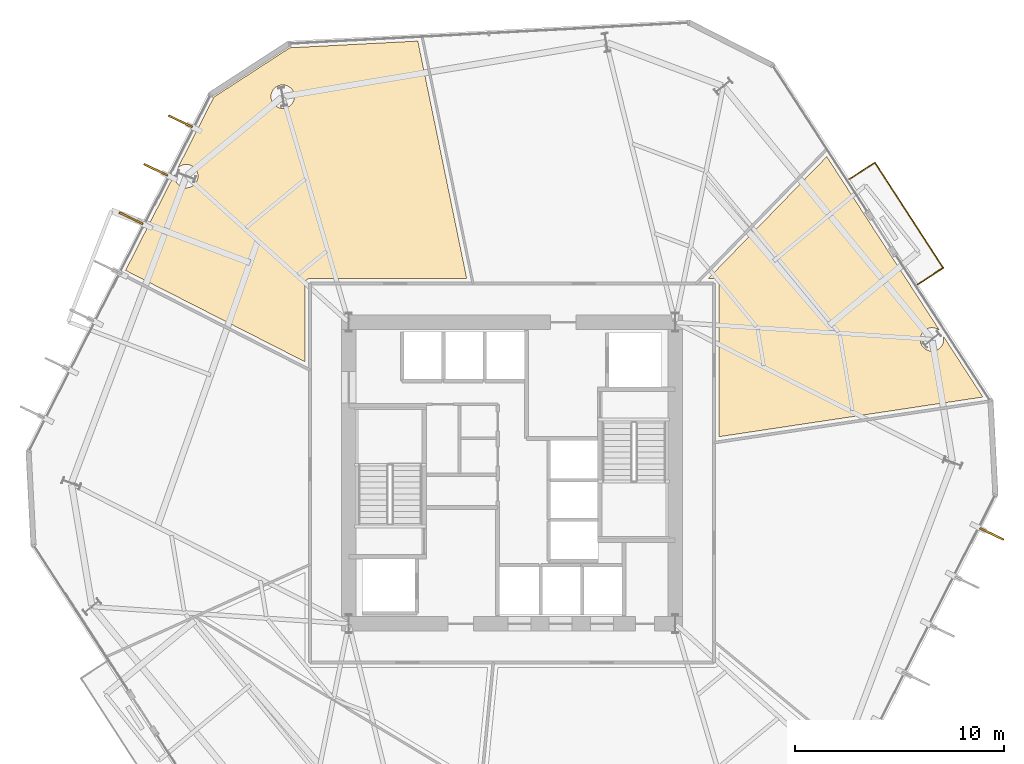
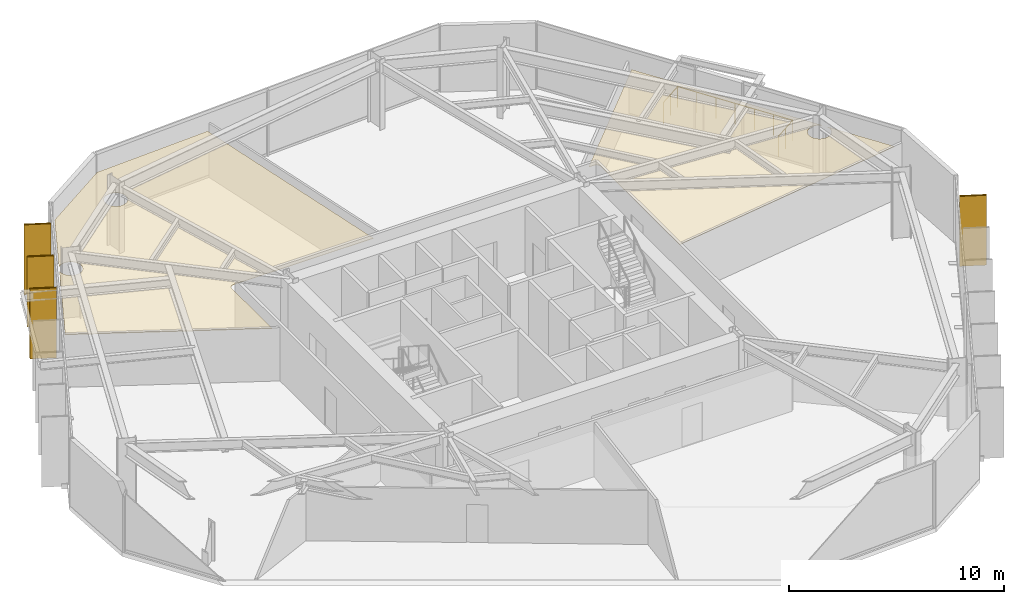
# One storey, part 10 of 10: 6 coverings, 4 shading devices, 1 railing.
"""IFC4 building model written with IfcOpenShell, lengths in metres."""

from ifc_helpers import new_model, si_unit, direction, frame, origin, origin_2d, place, context, subcontext, project, spatial, polyline, rectangle, circle, outline, extrude, material, layer, layer_set, type_object, element, save


model = new_model("IFC4")

# Units and contexts
model_context = context("Model", 3, precision=1e-05, world=origin(), true_north=direction((0.0, 1.0)))
body_context = subcontext(model_context, "Body", "Model", "MODEL_VIEW")
ifc_project = project(units=[si_unit("LENGTHUNIT", "METRE"), si_unit("AREAUNIT", "SQUARE_METRE"), si_unit("VOLUMEUNIT", "CUBIC_METRE"), si_unit("PLANEANGLEUNIT", "RADIAN"), si_unit("MASSUNIT", "GRAM", prefix="KILO")], contexts=[model_context])

# Site, building, storey
site_placement = place(None, origin())
site = spatial("IfcSite", under=ifc_project, at=site_placement, CompositionType="ELEMENT")
building_placement = place(site_placement, origin())
building = spatial("IfcBuilding", under=site, at=building_placement, Name="Kranzbogen Civic Tower", CompositionType="ELEMENT")
storey_placement = place(building_placement, frame((0.0, 0.0, 32.0)))
storey = spatial("IfcBuildingStorey", under=building, at=storey_placement, Name="L07", CompositionType="ELEMENT", Elevation=32.0)

# Coverings
ifc_material_1 = material(Name="Pale Anodised Aluminium", Category="aluminium")
ifc_layer_1 = layer(ifc_material_1, 0.02490234375, Name="Pale Anodised Aluminium")
ifc_layer_set_1 = layer_set([ifc_layer_1], Name="Pale Anodised Aluminium")
covering_type_1 = type_object("IfcCoveringType", Name="Anodised Aluminium Vertical Fin Cladding 25 mm", PredefinedType="CLADDING", material=ifc_layer_set_1)
for number, where, z_axis, x_axis, name in (
    (1, (9.156005859375, 41.81103515625, -0.139892578125), (0.0, 0.0, 1.0), (-0.901190522124, 0.433423168316, 0.0), "L07 vertical fin pale-metal cladding F3-1"),
    (2, (7.97509765625, 39.493896484375, -0.139892578125), (0.0, 0.0, 1.0), (-0.901190522124, 0.433423168316, 0.0), "L07 vertical fin pale-metal cladding F3-2"),
    (3, (6.794921875, 37.177978515625, -0.139892578125), (0.0, 0.0, 1.0), (-0.901190522124, 0.433423168316, 0.0), "L07 vertical fin pale-metal cladding F3-3"),
    (4, (47.927001953125, 22.089111328125, -0.139892578125), (0.0, 0.0, 1.0), (0.901190522124, -0.433423168316, 0.0), "L07 vertical fin pale-metal cladding F6-7"),
):
    element("IfcCovering", number, at=place(storey_placement, frame(where, z_axis=z_axis, x_axis=x_axis)), inside=storey, type_object=covering_type_1, Name=name, PredefinedType="CLADDING", context=body_context, shape_type="SweptSolid", body=[
        extrude(rectangle(XDim=1.25, YDim=0.10009765625, at=origin_2d()), origin(), (0.0, 0.0, 1.0), 3.9599609375),
    ])

# Shading devices
ifc_material_2 = material(Name="Anodised Bronze Aluminium", Category="aluminium")
shading_device_type = type_object("IfcShadingDeviceType", Name="Anodised Bronze Vertical Facade Fin 1250x80", PredefinedType="USERDEFINED", material=ifc_material_2)
for number, where, z_axis, x_axis, name in (
    (5, (9.156005859375, 41.81103515625, -0.139892578125), (0.0, 0.0, 1.0), (-0.901190522124, 0.433423168316, 0.0), "L07 vertical exterior shading fin F3-1"),
    (6, (7.97509765625, 39.493896484375, -0.139892578125), (0.0, 0.0, 1.0), (-0.901190522124, 0.433423168316, 0.0), "L07 vertical exterior shading fin F3-2"),
    (7, (6.794921875, 37.177978515625, -0.139892578125), (0.0, 0.0, 1.0), (-0.901190522124, 0.433423168316, 0.0), "L07 vertical exterior shading fin F3-3"),
    (8, (47.927001953125, 22.089111328125, -0.139892578125), (0.0, 0.0, 1.0), (0.901190522124, -0.433423168316, 0.0), "L07 vertical exterior shading fin F6-7"),
):
    element("IfcShadingDevice", number, at=place(storey_placement, frame(where, z_axis=z_axis, x_axis=x_axis)), inside=storey, type_object=shading_device_type, Name=name, ObjectType="FIN", PredefinedType="USERDEFINED", context=body_context, shape_type="SweptSolid", body=[
        extrude(rectangle(XDim=1.25, YDim=0.080078125, at=origin_2d()), origin(), (0.0, 0.0, 1.0), 3.9599609375),
    ])

# Railing
railing_type = type_object("IfcRailingType", Name="Cantilevered Balcony Glass and Bronze Balustrade 1200", PredefinedType="BALUSTRADE", material=ifc_material_2)
railing_placement = place(storey_placement, frame((44.39306640625, 34.01708984375, 0.0)))
element("IfcRailing", 9, at=railing_placement, inside=storey, type_object=railing_type, Name="L07 exterior terrace balustrade L07-TB2", PredefinedType="BALUSTRADE", context=body_context, shape_type="SweptSolid", body=[
    extrude(circle(Radius=0.02392578125, at=origin_2d()), frame((0.0, 0.0, 1.17578125), z_axis=(0.838597474604, 0.544751572359, 0.0), x_axis=(-0.544751572359, 0.838597474604, 0.0)), (0.0, 0.0, 1.0), 1.44970703125),
    extrude(circle(Radius=0.02392578125, at=origin_2d()), frame((1.2158203125, 0.789794921875, 1.17578125), z_axis=(-0.544622169208, 0.838681520487, 0.0), x_axis=(-0.838681520487, -0.544622169208, 0.0)), (0.0, 0.0, 1.0), 6.000244140625),
    extrude(circle(Radius=0.02392578125, at=origin_2d()), frame((-2.052001953125, 5.822021484375, 1.17578125), z_axis=(-0.83857052467, -0.544793057183, 0.0), x_axis=(0.544793057183, -0.83857052467, 0.0)), (0.0, 0.0, 1.0), 1.4501953125),
    extrude(circle(Radius=0.02099609375, at=origin_2d()), origin(), (0.0, 0.0, 1.0), 1.15185546875),
    extrude(circle(Radius=0.02099609375, at=origin_2d()), frame((0.60791015625, 0.39501953125, 0.0)), (0.0, 0.0, 1.0), 1.15185546875),
    extrude(circle(Radius=0.02099609375, at=origin_2d()), frame((1.2158203125, 0.789794921875, 0.0)), (0.0, 0.0, 1.0), 1.15185546875),
    extrude(circle(Radius=0.02099609375, at=origin_2d()), frame((0.671142578125, 1.62841796875, 0.0)), (0.0, 0.0, 1.0), 1.15185546875),
    extrude(circle(Radius=0.02099609375, at=origin_2d()), frame((0.12646484375, 2.46728515625, 0.0)), (0.0, 0.0, 1.0), 1.15185546875),
    extrude(circle(Radius=0.02099609375, at=origin_2d()), frame((-0.41796875, 3.305908203125, 0.0)), (0.0, 0.0, 1.0), 1.15185546875),
    extrude(circle(Radius=0.02099609375, at=origin_2d()), frame((-0.962646484375, 4.14453125, 0.0)), (0.0, 0.0, 1.0), 1.15185546875),
    extrude(circle(Radius=0.02099609375, at=origin_2d()), frame((-1.50732421875, 4.9833984375, 0.0)), (0.0, 0.0, 1.0), 1.15185546875),
    extrude(circle(Radius=0.02099609375, at=origin_2d()), frame((-2.052001953125, 5.822021484375, 0.0)), (0.0, 0.0, 1.0), 1.15185546875),
    extrude(circle(Radius=0.02099609375, at=origin_2d()), frame((-2.66015625, 5.427001953125, 0.0)), (0.0, 0.0, 1.0), 1.15185546875),
    extrude(circle(Radius=0.02099609375, at=origin_2d()), frame((-3.26806640625, 5.031982421875, 0.0)), (0.0, 0.0, 1.0), 1.15185546875),
])

# Coverings
ifc_material_3 = material(Name="Perforated Acoustic Gypsum Ceiling")
ifc_layer_2 = layer(ifc_material_3, 0.02490234375, Name="Perforated Acoustic Gypsum Ceiling")
ifc_layer_set_2 = layer_set([ifc_layer_2], Name="Perforated Acoustic Gypsum Ceiling")
covering_type_2 = type_object("IfcCoveringType", Name="Perforated Acoustic Mineral Ceiling Tile 25 mm", PredefinedType="CEILING", material=ifc_layer_set_2)
covering_1_placement = place(storey_placement, frame((0.0, 0.0, 2.75)))
element("IfcCovering", 10, at=covering_1_placement, inside=storey, type_object=covering_type_2, Name="L07 Cultural Screening Clubroom acoustic ceiling", PredefinedType="CEILING", context=body_context, shape_type="SweptSolid", body=[
    extrude(outline(polyline([(34.89501953125, 26.736083984375), (34.89501953125, 34.050048828125), (34.89501953125, 34.05908203125), (34.89404296875, 34.06494140625), (34.89306640625, 34.0830078125), (34.89208984375, 34.089111328125), (34.887939453125, 34.10595703125), (34.886962890625, 34.113037109375), (34.882080078125, 34.1298828125), (34.8798828125, 34.135986328125), (34.873046875, 34.152099609375), (34.8701171875, 34.157958984375), (34.862060546875, 34.173095703125), (34.85791015625, 34.178955078125), (34.84912109375, 34.193115234375), (34.844970703125, 34.197998046875), (34.833984375, 34.2119140625), (34.8291015625, 34.217041015625), (34.81689453125, 34.22900390625), (34.81201171875, 34.23388671875), (34.798095703125, 34.2451171875), (34.79296875, 34.2490234375), (34.779052734375, 34.258056640625), (34.77294921875, 34.261962890625), (34.758056640625, 34.27001953125), (34.751953125, 34.27294921875), (34.736083984375, 34.280029296875), (34.72998046875, 34.281982421875), (34.712890625, 34.287109375), (34.7060546875, 34.2880859375), (34.68896484375, 34.2919921875), (34.68310546875, 34.29296875), (34.6650390625, 34.2939453125), (34.658935546875, 34.294921875), (34.64990234375, 34.294921875), (34.3779296875, 34.294921875), (40.041015625, 40.1201171875), (45.44091796875, 31.804931640625), (45.427001953125, 31.818115234375), (45.383056640625, 31.85107421875), (45.3359375, 31.87890625), (45.285888671875, 31.903076171875), (45.23388671875, 31.9208984375), (45.180908203125, 31.93505859375), (45.126953125, 31.943115234375), (45.072021484375, 31.945068359375), (45.01708984375, 31.943115234375), (44.962890625, 31.93505859375), (44.909912109375, 31.9208984375), (44.85791015625, 31.903076171875), (44.80810546875, 31.87890625), (44.760986328125, 31.85107421875), (44.717041015625, 31.818115234375), (44.676025390625, 31.781982421875), (44.639892578125, 31.740966796875), (44.60693359375, 31.697021484375), (44.5791015625, 31.64990234375), (44.554931640625, 31.60009765625), (44.537109375, 31.548095703125), (44.52294921875, 31.4951171875), (44.514892578125, 31.44091796875), (44.512939453125, 31.385986328125), (44.514892578125, 31.3310546875), (44.52294921875, 31.277099609375), (44.537109375, 31.22412109375), (44.554931640625, 31.172119140625), (44.5791015625, 31.1220703125), (44.60693359375, 31.074951171875), (44.639892578125, 31.031005859375), (44.676025390625, 30.989990234375), (44.717041015625, 30.9541015625), (44.760986328125, 30.9208984375), (44.80810546875, 30.89306640625), (44.85791015625, 30.868896484375), (44.909912109375, 30.85107421875), (44.962890625, 30.8369140625), (45.01708984375, 30.8291015625), (45.072021484375, 30.826904296875), (45.126953125, 30.8291015625), (45.180908203125, 30.8369140625), (45.23388671875, 30.85107421875), (45.285888671875, 30.868896484375), (45.3359375, 30.89306640625), (45.383056640625, 30.9208984375), (45.427001953125, 30.9541015625), (45.468017578125, 30.989990234375), (45.50390625, 31.031005859375), (45.537109375, 31.074951171875), (45.56494140625, 31.1220703125), (45.589111328125, 31.172119140625), (45.60693359375, 31.22412109375), (45.62109375, 31.277099609375), (45.62890625, 31.3310546875), (45.631103515625, 31.385986328125), (45.62890625, 31.44091796875), (45.62109375, 31.4951171875), (45.60693359375, 31.548095703125), (45.60595703125, 31.551025390625), (47.501953125, 28.632080078125), (34.89501953125, 26.736083984375)])), origin(), (0.0, 0.0, 1.0), 0.02490234375),
])
covering_2_placement = place(storey_placement, frame((0.0, 0.0, 2.75)))
element("IfcCovering", 11, at=covering_2_placement, inside=storey, type_object=covering_type_2, Name="L07 Public Delegation Reception acoustic ceiling", PredefinedType="CEILING", context=body_context, shape_type="SweptSolid", body=[
    extrude(outline(polyline([(14.382080078125, 45.322021484375), (20.5, 45.64306640625), (22.8359375, 34.294921875), (15.35009765625, 34.294921875), (15.341064453125, 34.294921875), (15.3349609375, 34.2939453125), (15.31689453125, 34.29296875), (15.31103515625, 34.2919921875), (15.2939453125, 34.2880859375), (15.287109375, 34.287109375), (15.27001953125, 34.281982421875), (15.263916015625, 34.280029296875), (15.248046875, 34.27294921875), (15.241943359375, 34.27001953125), (15.22705078125, 34.261962890625), (15.220947265625, 34.258056640625), (15.20703125, 34.2490234375), (15.201904296875, 34.2451171875), (15.18798828125, 34.23388671875), (15.18310546875, 34.22900390625), (15.1708984375, 34.217041015625), (15.166015625, 34.2119140625), (15.155029296875, 34.197998046875), (15.15087890625, 34.193115234375), (15.14208984375, 34.178955078125), (15.137939453125, 34.173095703125), (15.1298828125, 34.157958984375), (15.126953125, 34.152099609375), (15.1201171875, 34.135986328125), (15.117919921875, 34.1298828125), (15.113037109375, 34.113037109375), (15.112060546875, 34.10595703125), (15.10791015625, 34.089111328125), (15.10693359375, 34.0830078125), (15.10595703125, 34.06494140625), (15.10498046875, 34.05908203125), (15.10498046875, 34.050048828125), (15.10498046875, 30.31689453125), (6.533935546875, 34.68408203125), (8.884033203125, 39.2958984375), (8.8759765625, 39.243896484375), (8.8740234375, 39.18896484375), (8.8759765625, 39.134033203125), (8.884033203125, 39.080078125), (8.89794921875, 39.027099609375), (8.916015625, 38.97509765625), (8.93994140625, 38.925048828125), (8.968017578125, 38.8779296875), (9.0009765625, 38.833984375), (9.037109375, 38.79296875), (9.077880859375, 38.757080078125), (9.1220703125, 38.72412109375), (9.1689453125, 38.696044921875), (9.218994140625, 38.672119140625), (9.27099609375, 38.654052734375), (9.323974609375, 38.639892578125), (9.3779296875, 38.632080078125), (9.43310546875, 38.6298828125), (9.488037109375, 38.632080078125), (9.5419921875, 38.639892578125), (9.594970703125, 38.654052734375), (9.64697265625, 38.672119140625), (9.697021484375, 38.696044921875), (9.743896484375, 38.72412109375), (9.7880859375, 38.757080078125), (9.8291015625, 38.79296875), (9.864990234375, 38.833984375), (9.89794921875, 38.8779296875), (9.926025390625, 38.925048828125), (9.949951171875, 38.97509765625), (9.968017578125, 39.027099609375), (9.98193359375, 39.080078125), (9.989990234375, 39.134033203125), (9.991943359375, 39.18896484375), (9.989990234375, 39.243896484375), (9.98193359375, 39.298095703125), (9.968017578125, 39.35107421875), (9.949951171875, 39.403076171875), (9.926025390625, 39.452880859375), (9.89794921875, 39.5), (9.864990234375, 39.5439453125), (9.8291015625, 39.5849609375), (9.7880859375, 39.62109375), (9.743896484375, 39.654052734375), (9.697021484375, 39.681884765625), (9.64697265625, 39.7060546875), (9.594970703125, 39.72412109375), (9.5419921875, 39.738037109375), (9.488037109375, 39.74609375), (9.43310546875, 39.748046875), (9.3779296875, 39.74609375), (9.323974609375, 39.738037109375), (9.27099609375, 39.72412109375), (9.218994140625, 39.7060546875), (9.1689453125, 39.681884765625), (9.1220703125, 39.654052734375), (9.077880859375, 39.62109375), (9.037109375, 39.5849609375), (9.02294921875, 39.568115234375), (10.75390625, 42.966064453125), (14.382080078125, 45.322021484375)]), holes=[polyline([(14.55908203125, 42.77392578125), (14.534912109375, 42.72412109375), (14.507080078125, 42.677001953125), (14.47412109375, 42.633056640625), (14.43798828125, 42.592041015625), (14.39697265625, 42.555908203125), (14.35302734375, 42.52294921875), (14.305908203125, 42.4951171875), (14.256103515625, 42.470947265625), (14.2041015625, 42.452880859375), (14.15087890625, 42.43896484375), (14.096923828125, 42.430908203125), (14.0419921875, 42.428955078125), (13.987060546875, 42.430908203125), (13.93310546875, 42.43896484375), (13.8798828125, 42.452880859375), (13.827880859375, 42.470947265625), (13.778076171875, 42.4951171875), (13.73095703125, 42.52294921875), (13.68701171875, 42.555908203125), (13.64599609375, 42.592041015625), (13.610107421875, 42.633056640625), (13.576904296875, 42.677001953125), (13.549072265625, 42.72412109375), (13.52490234375, 42.77392578125), (13.507080078125, 42.825927734375), (13.492919921875, 42.87890625), (13.485107421875, 42.93310546875), (13.48291015625, 42.988037109375), (13.485107421875, 43.04296875), (13.492919921875, 43.096923828125), (13.507080078125, 43.14990234375), (13.52490234375, 43.201904296875), (13.549072265625, 43.251953125), (13.576904296875, 43.299072265625), (13.610107421875, 43.343017578125), (13.64599609375, 43.384033203125), (13.68701171875, 43.419921875), (13.73095703125, 43.452880859375), (13.778076171875, 43.48095703125), (13.827880859375, 43.5048828125), (13.8798828125, 43.52294921875), (13.93310546875, 43.537109375), (13.987060546875, 43.544921875), (14.0419921875, 43.547119140625), (14.096923828125, 43.544921875), (14.15087890625, 43.537109375), (14.2041015625, 43.52294921875), (14.256103515625, 43.5048828125), (14.305908203125, 43.48095703125), (14.35302734375, 43.452880859375), (14.39697265625, 43.419921875), (14.43798828125, 43.384033203125), (14.47412109375, 43.343017578125), (14.507080078125, 43.299072265625), (14.534912109375, 43.251953125), (14.55908203125, 43.201904296875), (14.576904296875, 43.14990234375), (14.591064453125, 43.096923828125), (14.59912109375, 43.04296875), (14.60107421875, 42.988037109375), (14.59912109375, 42.93310546875), (14.591064453125, 42.87890625), (14.576904296875, 42.825927734375), (14.55908203125, 42.77392578125)])]), origin(), (0.0, 0.0, 1.0), 0.02490234375),
])

save(model, "model.ifc")
